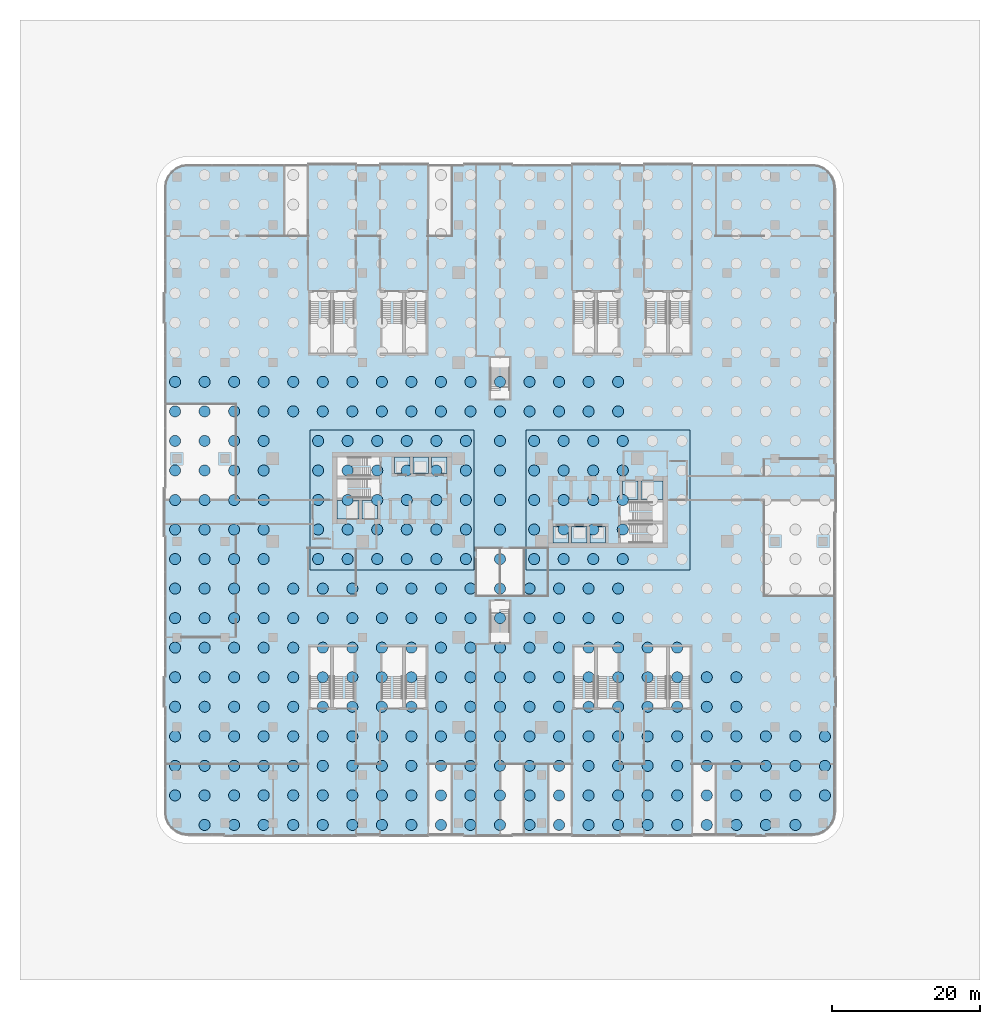
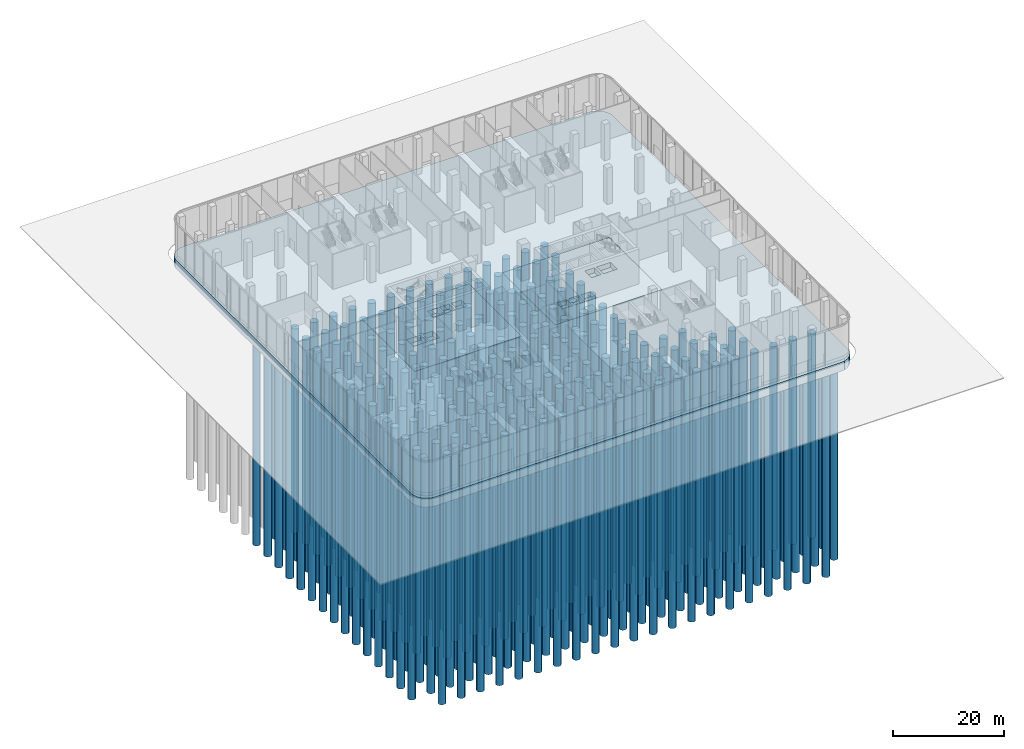
# One storey, part 1 of 27: 287 piles, 5 footings.
"""IFC4 building model written with IfcOpenShell, lengths in metres."""

from ifc_helpers import new_model, si_unit, direction, frame, origin, origin_2d, place, context, subcontext, project, spatial, polyline, circle, outline, extrude, source, transform, mapped, material, layer, layer_set, material_profile, profile_set, type_object, element, save


model = new_model("IFC4")

# Units and contexts
model_context = context("Model", 3, precision=1e-05, world=origin(), true_north=direction((0.0, 1.0)))
body_context = subcontext(model_context, "Body", "Model", "MODEL_VIEW")
ifc_project = project(units=[si_unit("LENGTHUNIT", "METRE"), si_unit("AREAUNIT", "SQUARE_METRE"), si_unit("VOLUMEUNIT", "CUBIC_METRE"), si_unit("PLANEANGLEUNIT", "RADIAN"), si_unit("MASSUNIT", "GRAM", prefix="KILO")], contexts=[model_context])

# Site, building, storey
site_placement = place(None, origin())
site = spatial("IfcSite", under=ifc_project, at=site_placement, CompositionType="ELEMENT")
building_placement = place(site_placement, origin())
building = spatial("IfcBuilding", under=site, at=building_placement, Name="Trellis Farm Tower", CompositionType="ELEMENT")
storey_placement = place(building_placement, origin())
storey = spatial("IfcBuildingStorey", under=building, at=storey_placement, Name="L00", CompositionType="ELEMENT", Elevation=0.0)

# Footings
ifc_material = material(Name="Concrete C40/50", Category="concrete")
ifc_layer_1 = layer(ifc_material, 2.39990234375)
ifc_layer_set_1 = layer_set([ifc_layer_1], Name="Core raft 2400")
footing_type_1 = type_object("IfcFootingType", Name="Core raft 2400", PredefinedType="PAD_FOOTING", material=ifc_layer_set_1)
placement_1 = place(storey_placement, frame((0.0, 0.0, -4.0)))
element("IfcFooting", 1, at=placement_1, inside=storey, type_object=footing_type_1, Name="Core raft E", PredefinedType="PAD_FOOTING", context=body_context, shape_type="SweptSolid", body=[
    extrude(outline(polyline([(25.75, -9.5), (25.75, 9.5), (3.5, 9.5), (3.5, -9.5), (25.75, -9.5)])), origin(), (0.0, 0.0, 1.0), 2.39990234375),
])
element("IfcFooting", 2, at=placement_1, inside=storey, type_object=footing_type_1, Name="Core raft W", PredefinedType="PAD_FOOTING", context=body_context, shape_type="SweptSolid", body=[
    extrude(outline(polyline([(-3.5, -9.5), (-3.5, 9.5), (-25.75, 9.5), (-25.75, -9.5), (-3.5, -9.5)])), origin(), (0.0, 0.0, 1.0), 2.39990234375),
])
ifc_layer_2 = layer(ifc_material, 1.10009765625)
ifc_layer_set_2 = layer_set([ifc_layer_2], Name="Core raft upper 1100")
footing_type_2 = type_object("IfcFootingType", Name="Core raft upper 1100", PredefinedType="PAD_FOOTING", material=ifc_layer_set_2)
placement_2 = place(storey_placement, frame((0.0, 0.0, -1.60009765625)))
element("IfcFooting", 3, at=placement_2, inside=storey, type_object=footing_type_2, Name="Core raft E pit recess", PredefinedType="PAD_FOOTING", context=body_context, shape_type="SweptSolid", body=[
    extrude(outline(polyline([(3.5, -9.5), (3.5, 9.5), (25.75, 9.5), (25.75, -9.5), (3.5, -9.5)]), holes=[polyline([(7.199951171875, -3.60009765625), (7.199951171875, -5.800048828125), (9.300048828125, -5.800048828125), (9.300048828125, -3.60009765625), (7.199951171875, -3.60009765625)]), polyline([(9.699951171875, -3.60009765625), (9.699951171875, -5.800048828125), (11.800048828125, -5.800048828125), (11.800048828125, -3.60009765625), (9.699951171875, -3.60009765625)]), polyline([(12.199951171875, -3.60009765625), (12.199951171875, -5.800048828125), (14.300048828125, -5.800048828125), (14.300048828125, -3.60009765625), (12.199951171875, -3.60009765625)]), polyline([(18.699951171875, 2.550048828125), (16.60009765625, 2.550048828125), (16.60009765625, 0.10009765625), (18.699951171875, 0.10009765625), (18.699951171875, 2.550048828125)]), polyline([(22.050048828125, 2.550048828125), (19.10009765625, 2.550048828125), (19.10009765625, 0.10009765625), (22.050048828125, 0.10009765625), (22.050048828125, 2.550048828125)])]), origin(), (0.0, 0.0, 1.0), 1.10009765625),
])
element("IfcFooting", 4, at=placement_2, inside=storey, type_object=footing_type_2, Name="Core raft W pit recess", PredefinedType="PAD_FOOTING", context=body_context, shape_type="SweptSolid", body=[
    extrude(outline(polyline([(-25.75, -9.5), (-25.75, 9.5), (-3.5, 9.5), (-3.5, -9.5), (-25.75, -9.5)]), holes=[polyline([(-19.10009765625, -2.550048828125), (-19.10009765625, -0.10009765625), (-22.050048828125, -0.10009765625), (-22.050048828125, -2.550048828125), (-19.10009765625, -2.550048828125)]), polyline([(-16.60009765625, -2.550048828125), (-16.60009765625, -0.10009765625), (-18.699951171875, -0.10009765625), (-18.699951171875, -2.550048828125), (-16.60009765625, -2.550048828125)]), polyline([(-12.199951171875, 3.60009765625), (-12.199951171875, 5.800048828125), (-14.300048828125, 5.800048828125), (-14.300048828125, 3.60009765625), (-12.199951171875, 3.60009765625)]), polyline([(-11.800048828125, 3.60009765625), (-9.699951171875, 3.60009765625), (-9.699951171875, 5.800048828125), (-11.800048828125, 5.800048828125), (-11.800048828125, 3.60009765625)]), polyline([(-9.300048828125, 3.60009765625), (-7.199951171875, 3.60009765625), (-7.199951171875, 5.800048828125), (-9.300048828125, 5.800048828125), (-9.300048828125, 3.60009765625)])]), origin(), (0.0, 0.0, 1.0), 1.10009765625),
])
ifc_layer_3 = layer(ifc_material, 2.0)
ifc_layer_set_3 = layer_set([ifc_layer_3], Name="Piled raft 2000")
footing_type_3 = type_object("IfcFootingType", Name="Piled raft 2000", PredefinedType="PAD_FOOTING", material=ifc_layer_set_3)
footing_5_placement = place(storey_placement, frame((0.0, 0.0, -2.5)))
element("IfcFooting", 5, at=footing_5_placement, inside=storey, type_object=footing_type_3, Name="Piled raft", PredefinedType="PAD_FOOTING", context=body_context, shape_type="SweptSolid", body=[
    extrude(outline(polyline([(45.5, -42.25), (45.5, 42.25), (45.389404296875, 43.09130859375), (45.064697265625, 43.875), (44.548095703125, 44.548095703125), (43.875, 45.064697265625), (43.09130859375, 45.389404296875), (42.25, 45.5), (-42.25, 45.5), (-43.09130859375, 45.389404296875), (-43.875, 45.064697265625), (-44.548095703125, 44.548095703125), (-45.064697265625, 43.875), (-45.389404296875, 43.09130859375), (-45.5, 42.25), (-45.5, -42.25), (-45.389404296875, -43.09130859375), (-45.064697265625, -43.875), (-44.548095703125, -44.548095703125), (-43.875, -45.064697265625), (-43.09130859375, -45.389404296875), (-42.25, -45.5), (42.25, -45.5), (43.09130859375, -45.389404296875), (43.875, -45.064697265625), (44.548095703125, -44.548095703125), (45.064697265625, -43.875), (45.389404296875, -43.09130859375), (45.5, -42.25)]), holes=[polyline([(25.75, -9.5), (25.75, 9.5), (3.5, 9.5), (3.5, -9.5), (25.75, -9.5)]), polyline([(-3.5, -9.5), (-3.5, 9.5), (-25.75, 9.5), (-25.75, -9.5), (-3.5, -9.5)])]), origin(), (0.0, 0.0, 1.0), 2.0),
])

# Piles
ifc_material_profile = material_profile(ifc_material, circle(Radius=0.75, at=origin_2d()), Name="Bored pile 1500")
ifc_profile_set = profile_set([ifc_material_profile], Name="Concrete C40/50")
pile_type = type_object("IfcPileType", Name="Bored pile 1500", PredefinedType="BORED", material=ifc_profile_set)
shared_shape = source(origin(), body_context, "Body", "SweptSolid", [
    extrude(circle(Radius=0.75, at=origin_2d()), origin(), (0.0, 0.0, 1.0), 45.0),
])
for number, where, z_axis, x_axis, name in (
    (6, (4.625, -8.0, -4.0), (0.0, 0.0, -1.0), (1.0, 0.0, 0.0), "Bored pile"),
    (7, (4.625, -4.0, -4.0), (0.0, 0.0, -1.0), (1.0, 0.0, 0.0), "Bored pile"),
    (8, (4.625, 0.0, -4.0), (0.0, 0.0, -1.0), (1.0, 0.0, 0.0), "Bored pile"),
    (9, (4.625, 4.0, -4.0), (0.0, 0.0, -1.0), (1.0, 0.0, 0.0), "Bored pile"),
    (10, (4.625, 8.0, -4.0), (0.0, 0.0, -1.0), (1.0, 0.0, 0.0), "Bored pile"),
    (11, (8.625, -8.0, -4.0), (0.0, 0.0, -1.0), (1.0, 0.0, 0.0), "Bored pile"),
    (12, (8.625, -4.0, -4.0), (0.0, 0.0, -1.0), (1.0, 0.0, 0.0), "Bored pile"),
    (13, (8.625, 0.0, -4.0), (0.0, 0.0, -1.0), (1.0, 0.0, 0.0), "Bored pile"),
    (14, (8.625, 4.0, -4.0), (0.0, 0.0, -1.0), (1.0, 0.0, 0.0), "Bored pile"),
    (15, (8.625, 8.0, -4.0), (0.0, 0.0, -1.0), (1.0, 0.0, 0.0), "Bored pile"),
    (16, (12.625, -8.0, -4.0), (0.0, 0.0, -1.0), (1.0, 0.0, 0.0), "Bored pile"),
    (17, (12.625, -4.0, -4.0), (0.0, 0.0, -1.0), (1.0, 0.0, 0.0), "Bored pile"),
    (18, (12.625, 0.0, -4.0), (0.0, 0.0, -1.0), (1.0, 0.0, 0.0), "Bored pile"),
    (19, (12.625, 4.0, -4.0), (0.0, 0.0, -1.0), (1.0, 0.0, 0.0), "Bored pile"),
    (20, (12.625, 8.0, -4.0), (0.0, 0.0, -1.0), (1.0, 0.0, 0.0), "Bored pile"),
    (21, (16.625, -8.0, -4.0), (0.0, 0.0, -1.0), (1.0, 0.0, 0.0), "Bored pile"),
    (22, (16.625, -4.0, -4.0), (0.0, 0.0, -1.0), (1.0, 0.0, 0.0), "Bored pile"),
    (23, (16.625, 0.0, -4.0), (0.0, 0.0, -1.0), (1.0, 0.0, 0.0), "Bored pile"),
    (24, (16.625, 4.0, -4.0), (0.0, 0.0, -1.0), (1.0, 0.0, 0.0), "Bored pile"),
    (25, (16.625, 8.0, -4.0), (0.0, 0.0, -1.0), (1.0, 0.0, 0.0), "Bored pile"),
    (26, (-24.625, -8.0, -4.0), (0.0, 0.0, -1.0), (1.0, 0.0, 0.0), "Bored pile"),
    (27, (-24.625, -4.0, -4.0), (0.0, 0.0, -1.0), (1.0, 0.0, 0.0), "Bored pile"),
    (28, (-24.625, 0.0, -4.0), (0.0, 0.0, -1.0), (1.0, 0.0, 0.0), "Bored pile"),
    (29, (-24.625, 4.0, -4.0), (0.0, 0.0, -1.0), (1.0, 0.0, 0.0), "Bored pile"),
    (30, (-24.625, 8.0, -4.0), (0.0, 0.0, -1.0), (1.0, 0.0, 0.0), "Bored pile"),
    (31, (-20.625, -8.0, -4.0), (0.0, 0.0, -1.0), (1.0, 0.0, 0.0), "Bored pile"),
    (32, (-20.625, -4.0, -4.0), (0.0, 0.0, -1.0), (1.0, 0.0, 0.0), "Bored pile"),
    (33, (-20.625, 0.0, -4.0), (0.0, 0.0, -1.0), (1.0, 0.0, 0.0), "Bored pile"),
    (34, (-20.625, 4.0, -4.0), (0.0, 0.0, -1.0), (1.0, 0.0, 0.0), "Bored pile"),
    (35, (-20.625, 8.0, -4.0), (0.0, 0.0, -1.0), (1.0, 0.0, 0.0), "Bored pile"),
    (36, (-16.625, -8.0, -4.0), (0.0, 0.0, -1.0), (1.0, 0.0, 0.0), "Bored pile"),
    (37, (-16.625, -4.0, -4.0), (0.0, 0.0, -1.0), (1.0, 0.0, 0.0), "Bored pile"),
    (38, (-16.625, 0.0, -4.0), (0.0, 0.0, -1.0), (1.0, 0.0, 0.0), "Bored pile"),
    (39, (-16.625, 4.0, -4.0), (0.0, 0.0, -1.0), (1.0, 0.0, 0.0), "Bored pile"),
    (40, (-16.625, 8.0, -4.0), (0.0, 0.0, -1.0), (1.0, 0.0, 0.0), "Bored pile"),
    (41, (-12.625, -8.0, -4.0), (0.0, 0.0, -1.0), (1.0, 0.0, 0.0), "Bored pile"),
    (42, (-12.625, -4.0, -4.0), (0.0, 0.0, -1.0), (1.0, 0.0, 0.0), "Bored pile"),
    (43, (-12.625, 0.0, -4.0), (0.0, 0.0, -1.0), (1.0, 0.0, 0.0), "Bored pile"),
    (44, (-12.625, 4.0, -4.0), (0.0, 0.0, -1.0), (1.0, 0.0, 0.0), "Bored pile"),
    (45, (-12.625, 8.0, -4.0), (0.0, 0.0, -1.0), (1.0, 0.0, 0.0), "Bored pile"),
    (46, (-8.625, -8.0, -4.0), (0.0, 0.0, -1.0), (1.0, 0.0, 0.0), "Bored pile"),
    (47, (-8.625, -4.0, -4.0), (0.0, 0.0, -1.0), (1.0, 0.0, 0.0), "Bored pile"),
    (48, (-8.625, 0.0, -4.0), (0.0, 0.0, -1.0), (1.0, 0.0, 0.0), "Bored pile"),
    (49, (-8.625, 4.0, -4.0), (0.0, 0.0, -1.0), (1.0, 0.0, 0.0), "Bored pile"),
    (50, (-8.625, 8.0, -4.0), (0.0, 0.0, -1.0), (1.0, 0.0, 0.0), "Bored pile"),
    (51, (-4.625, -8.0, -4.0), (0.0, 0.0, -1.0), (1.0, 0.0, 0.0), "Bored pile"),
    (52, (-4.625, -4.0, -4.0), (0.0, 0.0, -1.0), (1.0, 0.0, 0.0), "Bored pile"),
    (53, (-4.625, 0.0, -4.0), (0.0, 0.0, -1.0), (1.0, 0.0, 0.0), "Bored pile"),
    (54, (-4.625, 4.0, -4.0), (0.0, 0.0, -1.0), (1.0, 0.0, 0.0), "Bored pile"),
    (55, (-4.625, 8.0, -4.0), (0.0, 0.0, -1.0), (1.0, 0.0, 0.0), "Bored pile"),
    (56, (-44.0, -40.0, -2.5), (0.0, 0.0, -1.0), (1.0, 0.0, 0.0), "Bored pile"),
    (57, (-44.0, -36.0, -2.5), (0.0, 0.0, -1.0), (1.0, 0.0, 0.0), "Bored pile"),
    (58, (-44.0, -32.0, -2.5), (0.0, 0.0, -1.0), (1.0, 0.0, 0.0), "Bored pile"),
    (59, (-44.0, -28.0, -2.5), (0.0, 0.0, -1.0), (1.0, 0.0, 0.0), "Bored pile"),
    (60, (-44.0, -24.0, -2.5), (0.0, 0.0, -1.0), (1.0, 0.0, 0.0), "Bored pile"),
    (61, (-44.0, -20.0, -2.5), (0.0, 0.0, -1.0), (1.0, 0.0, 0.0), "Bored pile"),
    (62, (-44.0, -16.0, -2.5), (0.0, 0.0, -1.0), (1.0, 0.0, 0.0), "Bored pile"),
    (63, (-44.0, -12.0, -2.5), (0.0, 0.0, -1.0), (1.0, 0.0, 0.0), "Bored pile"),
    (64, (-44.0, -8.0, -2.5), (0.0, 0.0, -1.0), (1.0, 0.0, 0.0), "Bored pile"),
    (65, (-44.0, -4.0, -2.5), (0.0, 0.0, -1.0), (1.0, 0.0, 0.0), "Bored pile"),
    (66, (-44.0, 0.0, -2.5), (0.0, 0.0, -1.0), (1.0, 0.0, 0.0), "Bored pile"),
    (67, (-44.0, 4.0, -2.5), (0.0, 0.0, -1.0), (1.0, 0.0, 0.0), "Bored pile"),
    (68, (-44.0, 8.0, -2.5), (0.0, 0.0, -1.0), (1.0, 0.0, 0.0), "Bored pile"),
    (69, (-44.0, 12.0, -2.5), (0.0, 0.0, -1.0), (1.0, 0.0, 0.0), "Bored pile"),
    (70, (-44.0, 16.0, -2.5), (0.0, 0.0, -1.0), (1.0, 0.0, 0.0), "Bored pile"),
    (71, (-40.0, -44.0, -2.5), (0.0, 0.0, -1.0), (1.0, 0.0, 0.0), "Bored pile"),
    (72, (-40.0, -40.0, -2.5), (0.0, 0.0, -1.0), (1.0, 0.0, 0.0), "Bored pile"),
    (73, (-40.0, -36.0, -2.5), (0.0, 0.0, -1.0), (1.0, 0.0, 0.0), "Bored pile"),
    (74, (-40.0, -32.0, -2.5), (0.0, 0.0, -1.0), (1.0, 0.0, 0.0), "Bored pile"),
    (75, (-40.0, -28.0, -2.5), (0.0, 0.0, -1.0), (1.0, 0.0, 0.0), "Bored pile"),
    (76, (-40.0, -24.0, -2.5), (0.0, 0.0, -1.0), (1.0, 0.0, 0.0), "Bored pile"),
    (77, (-40.0, -20.0, -2.5), (0.0, 0.0, -1.0), (1.0, 0.0, 0.0), "Bored pile"),
    (78, (-40.0, -16.0, -2.5), (0.0, 0.0, -1.0), (1.0, 0.0, 0.0), "Bored pile"),
    (79, (-40.0, -12.0, -2.5), (0.0, 0.0, -1.0), (1.0, 0.0, 0.0), "Bored pile"),
    (80, (-40.0, -8.0, -2.5), (0.0, 0.0, -1.0), (1.0, 0.0, 0.0), "Bored pile"),
    (81, (-40.0, -4.0, -2.5), (0.0, 0.0, -1.0), (1.0, 0.0, 0.0), "Bored pile"),
    (82, (-40.0, 0.0, -2.5), (0.0, 0.0, -1.0), (1.0, 0.0, 0.0), "Bored pile"),
    (83, (-40.0, 4.0, -2.5), (0.0, 0.0, -1.0), (1.0, 0.0, 0.0), "Bored pile"),
    (84, (-40.0, 8.0, -2.5), (0.0, 0.0, -1.0), (1.0, 0.0, 0.0), "Bored pile"),
    (85, (-40.0, 12.0, -2.5), (0.0, 0.0, -1.0), (1.0, 0.0, 0.0), "Bored pile"),
    (86, (-40.0, 16.0, -2.5), (0.0, 0.0, -1.0), (1.0, 0.0, 0.0), "Bored pile"),
    (87, (-36.0, -44.0, -2.5), (0.0, 0.0, -1.0), (1.0, 0.0, 0.0), "Bored pile"),
    (88, (-36.0, -40.0, -2.5), (0.0, 0.0, -1.0), (1.0, 0.0, 0.0), "Bored pile"),
    (89, (-36.0, -36.0, -2.5), (0.0, 0.0, -1.0), (1.0, 0.0, 0.0), "Bored pile"),
    (90, (-36.0, -32.0, -2.5), (0.0, 0.0, -1.0), (1.0, 0.0, 0.0), "Bored pile"),
    (91, (-36.0, -28.0, -2.5), (0.0, 0.0, -1.0), (1.0, 0.0, 0.0), "Bored pile"),
    (92, (-36.0, -24.0, -2.5), (0.0, 0.0, -1.0), (1.0, 0.0, 0.0), "Bored pile"),
    (93, (-36.0, -20.0, -2.5), (0.0, 0.0, -1.0), (1.0, 0.0, 0.0), "Bored pile"),
    (94, (-36.0, -16.0, -2.5), (0.0, 0.0, -1.0), (1.0, 0.0, 0.0), "Bored pile"),
    (95, (-36.0, -12.0, -2.5), (0.0, 0.0, -1.0), (1.0, 0.0, 0.0), "Bored pile"),
    (96, (-36.0, -8.0, -2.5), (0.0, 0.0, -1.0), (1.0, 0.0, 0.0), "Bored pile"),
    (97, (-36.0, -4.0, -2.5), (0.0, 0.0, -1.0), (1.0, 0.0, 0.0), "Bored pile"),
    (98, (-36.0, 0.0, -2.5), (0.0, 0.0, -1.0), (1.0, 0.0, 0.0), "Bored pile"),
    (99, (-36.0, 4.0, -2.5), (0.0, 0.0, -1.0), (1.0, 0.0, 0.0), "Bored pile"),
    (100, (-36.0, 8.0, -2.5), (0.0, 0.0, -1.0), (1.0, 0.0, 0.0), "Bored pile"),
    (101, (-36.0, 12.0, -2.5), (0.0, 0.0, -1.0), (1.0, 0.0, 0.0), "Bored pile"),
    (102, (-36.0, 16.0, -2.5), (0.0, 0.0, -1.0), (1.0, 0.0, 0.0), "Bored pile"),
    (103, (-32.0, -44.0, -2.5), (0.0, 0.0, -1.0), (1.0, 0.0, 0.0), "Bored pile"),
    (104, (-32.0, -40.0, -2.5), (0.0, 0.0, -1.0), (1.0, 0.0, 0.0), "Bored pile"),
    (105, (-32.0, -36.0, -2.5), (0.0, 0.0, -1.0), (1.0, 0.0, 0.0), "Bored pile"),
    (106, (-32.0, -32.0, -2.5), (0.0, 0.0, -1.0), (1.0, 0.0, 0.0), "Bored pile"),
    (107, (-32.0, -28.0, -2.5), (0.0, 0.0, -1.0), (1.0, 0.0, 0.0), "Bored pile"),
    (108, (-32.0, -24.0, -2.5), (0.0, 0.0, -1.0), (1.0, 0.0, 0.0), "Bored pile"),
    (109, (-32.0, -20.0, -2.5), (0.0, 0.0, -1.0), (1.0, 0.0, 0.0), "Bored pile"),
    (110, (-32.0, -16.0, -2.5), (0.0, 0.0, -1.0), (1.0, 0.0, 0.0), "Bored pile"),
    (111, (-32.0, -12.0, -2.5), (0.0, 0.0, -1.0), (1.0, 0.0, 0.0), "Bored pile"),
    (112, (-32.0, -8.0, -2.5), (0.0, 0.0, -1.0), (1.0, 0.0, 0.0), "Bored pile"),
    (113, (-32.0, -4.0, -2.5), (0.0, 0.0, -1.0), (1.0, 0.0, 0.0), "Bored pile"),
    (114, (-32.0, 0.0, -2.5), (0.0, 0.0, -1.0), (1.0, 0.0, 0.0), "Bored pile"),
    (115, (-32.0, 4.0, -2.5), (0.0, 0.0, -1.0), (1.0, 0.0, 0.0), "Bored pile"),
    (116, (-32.0, 8.0, -2.5), (0.0, 0.0, -1.0), (1.0, 0.0, 0.0), "Bored pile"),
    (117, (-32.0, 12.0, -2.5), (0.0, 0.0, -1.0), (1.0, 0.0, 0.0), "Bored pile"),
    (118, (-32.0, 16.0, -2.5), (0.0, 0.0, -1.0), (1.0, 0.0, 0.0), "Bored pile"),
    (119, (-28.0, -44.0, -2.5), (0.0, 0.0, -1.0), (1.0, 0.0, 0.0), "Bored pile"),
    (120, (-28.0, -40.0, -2.5), (0.0, 0.0, -1.0), (1.0, 0.0, 0.0), "Bored pile"),
    (121, (-28.0, -36.0, -2.5), (0.0, 0.0, -1.0), (1.0, 0.0, 0.0), "Bored pile"),
    (122, (-28.0, -32.0, -2.5), (0.0, 0.0, -1.0), (1.0, 0.0, 0.0), "Bored pile"),
    (123, (-28.0, -28.0, -2.5), (0.0, 0.0, -1.0), (1.0, 0.0, 0.0), "Bored pile"),
    (124, (-28.0, -24.0, -2.5), (0.0, 0.0, -1.0), (1.0, 0.0, 0.0), "Bored pile"),
    (125, (-28.0, -20.0, -2.5), (0.0, 0.0, -1.0), (1.0, 0.0, 0.0), "Bored pile"),
    (126, (-28.0, -16.0, -2.5), (0.0, 0.0, -1.0), (1.0, 0.0, 0.0), "Bored pile"),
    (127, (-28.0, -12.0, -2.5), (0.0, 0.0, -1.0), (1.0, 0.0, 0.0), "Bored pile"),
    (128, (-28.0, 12.0, -2.5), (0.0, 0.0, -1.0), (1.0, 0.0, 0.0), "Bored pile"),
    (129, (-28.0, 16.0, -2.5), (0.0, 0.0, -1.0), (1.0, 0.0, 0.0), "Bored pile"),
    (130, (-24.0, -44.0, -2.5), (0.0, 0.0, -1.0), (1.0, 0.0, 0.0), "Bored pile"),
    (131, (-24.0, -40.0, -2.5), (0.0, 0.0, -1.0), (1.0, 0.0, 0.0), "Bored pile"),
    (132, (-24.0, -36.0, -2.5), (0.0, 0.0, -1.0), (1.0, 0.0, 0.0), "Bored pile"),
    (133, (-24.0, -32.0, -2.5), (0.0, 0.0, -1.0), (1.0, 0.0, 0.0), "Bored pile"),
    (134, (-24.0, -28.0, -2.5), (0.0, 0.0, -1.0), (1.0, 0.0, 0.0), "Bored pile"),
    (135, (-24.0, -24.0, -2.5), (0.0, 0.0, -1.0), (1.0, 0.0, 0.0), "Bored pile"),
    (136, (-24.0, -20.0, -2.5), (0.0, 0.0, -1.0), (1.0, 0.0, 0.0), "Bored pile"),
    (137, (-24.0, -16.0, -2.5), (0.0, 0.0, -1.0), (1.0, 0.0, 0.0), "Bored pile"),
    (138, (-24.0, -12.0, -2.5), (0.0, 0.0, -1.0), (1.0, 0.0, 0.0), "Bored pile"),
    (139, (-24.0, 12.0, -2.5), (0.0, 0.0, -1.0), (1.0, 0.0, 0.0), "Bored pile"),
    (140, (-24.0, 16.0, -2.5), (0.0, 0.0, -1.0), (1.0, 0.0, 0.0), "Bored pile"),
    (141, (-20.0, -44.0, -2.5), (0.0, 0.0, -1.0), (1.0, 0.0, 0.0), "Bored pile"),
    (142, (-20.0, -40.0, -2.5), (0.0, 0.0, -1.0), (1.0, 0.0, 0.0), "Bored pile"),
    (143, (-20.0, -36.0, -2.5), (0.0, 0.0, -1.0), (1.0, 0.0, 0.0), "Bored pile"),
    (144, (-20.0, -32.0, -2.5), (0.0, 0.0, -1.0), (1.0, 0.0, 0.0), "Bored pile"),
    (145, (-20.0, -28.0, -2.5), (0.0, 0.0, -1.0), (1.0, 0.0, 0.0), "Bored pile"),
    (146, (-20.0, -24.0, -2.5), (0.0, 0.0, -1.0), (1.0, 0.0, 0.0), "Bored pile"),
    (147, (-20.0, -20.0, -2.5), (0.0, 0.0, -1.0), (1.0, 0.0, 0.0), "Bored pile"),
    (148, (-20.0, -16.0, -2.5), (0.0, 0.0, -1.0), (1.0, 0.0, 0.0), "Bored pile"),
    (149, (-20.0, -12.0, -2.5), (0.0, 0.0, -1.0), (1.0, 0.0, 0.0), "Bored pile"),
    (150, (-20.0, 12.0, -2.5), (0.0, 0.0, -1.0), (1.0, 0.0, 0.0), "Bored pile"),
    (151, (-20.0, 16.0, -2.5), (0.0, 0.0, -1.0), (1.0, 0.0, 0.0), "Bored pile"),
    (152, (-16.0, -44.0, -2.5), (0.0, 0.0, -1.0), (1.0, 0.0, 0.0), "Bored pile"),
    (153, (-16.0, -40.0, -2.5), (0.0, 0.0, -1.0), (1.0, 0.0, 0.0), "Bored pile"),
    (154, (-16.0, -36.0, -2.5), (0.0, 0.0, -1.0), (1.0, 0.0, 0.0), "Bored pile"),
    (155, (-16.0, -32.0, -2.5), (0.0, 0.0, -1.0), (1.0, 0.0, 0.0), "Bored pile"),
    (156, (-16.0, -28.0, -2.5), (0.0, 0.0, -1.0), (1.0, 0.0, 0.0), "Bored pile"),
    (157, (-16.0, -24.0, -2.5), (0.0, 0.0, -1.0), (1.0, 0.0, 0.0), "Bored pile"),
    (158, (-16.0, -20.0, -2.5), (0.0, 0.0, -1.0), (1.0, 0.0, 0.0), "Bored pile"),
    (159, (-16.0, -16.0, -2.5), (0.0, 0.0, -1.0), (1.0, 0.0, 0.0), "Bored pile"),
    (160, (-16.0, -12.0, -2.5), (0.0, 0.0, -1.0), (1.0, 0.0, 0.0), "Bored pile"),
    (161, (-16.0, 12.0, -2.5), (0.0, 0.0, -1.0), (1.0, 0.0, 0.0), "Bored pile"),
    (162, (-16.0, 16.0, -2.5), (0.0, 0.0, -1.0), (1.0, 0.0, 0.0), "Bored pile"),
    (163, (-12.0, -44.0, -2.5), (0.0, 0.0, -1.0), (1.0, 0.0, 0.0), "Bored pile"),
    (164, (-12.0, -40.0, -2.5), (0.0, 0.0, -1.0), (1.0, 0.0, 0.0), "Bored pile"),
    (165, (-12.0, -36.0, -2.5), (0.0, 0.0, -1.0), (1.0, 0.0, 0.0), "Bored pile"),
    (166, (-12.0, -32.0, -2.5), (0.0, 0.0, -1.0), (1.0, 0.0, 0.0), "Bored pile"),
    (167, (-12.0, -28.0, -2.5), (0.0, 0.0, -1.0), (1.0, 0.0, 0.0), "Bored pile"),
    (168, (-12.0, -24.0, -2.5), (0.0, 0.0, -1.0), (1.0, 0.0, 0.0), "Bored pile"),
    (169, (-12.0, -20.0, -2.5), (0.0, 0.0, -1.0), (1.0, 0.0, 0.0), "Bored pile"),
    (170, (-12.0, -16.0, -2.5), (0.0, 0.0, -1.0), (1.0, 0.0, 0.0), "Bored pile"),
    (171, (-12.0, -12.0, -2.5), (0.0, 0.0, -1.0), (1.0, 0.0, 0.0), "Bored pile"),
    (172, (-12.0, 12.0, -2.5), (0.0, 0.0, -1.0), (1.0, 0.0, 0.0), "Bored pile"),
    (173, (-12.0, 16.0, -2.5), (0.0, 0.0, -1.0), (1.0, 0.0, 0.0), "Bored pile"),
    (174, (-8.0, -44.0, -2.5), (0.0, 0.0, -1.0), (1.0, 0.0, 0.0), "Bored pile"),
    (175, (-8.0, -40.0, -2.5), (0.0, 0.0, -1.0), (1.0, 0.0, 0.0), "Bored pile"),
    (176, (-8.0, -36.0, -2.5), (0.0, 0.0, -1.0), (1.0, 0.0, 0.0), "Bored pile"),
    (177, (-8.0, -32.0, -2.5), (0.0, 0.0, -1.0), (1.0, 0.0, 0.0), "Bored pile"),
    (178, (-8.0, -28.0, -2.5), (0.0, 0.0, -1.0), (1.0, 0.0, 0.0), "Bored pile"),
    (179, (-8.0, -24.0, -2.5), (0.0, 0.0, -1.0), (1.0, 0.0, 0.0), "Bored pile"),
    (180, (-8.0, -20.0, -2.5), (0.0, 0.0, -1.0), (1.0, 0.0, 0.0), "Bored pile"),
    (181, (-8.0, -16.0, -2.5), (0.0, 0.0, -1.0), (1.0, 0.0, 0.0), "Bored pile"),
    (182, (-8.0, -12.0, -2.5), (0.0, 0.0, -1.0), (1.0, 0.0, 0.0), "Bored pile"),
    (183, (-8.0, 12.0, -2.5), (0.0, 0.0, -1.0), (1.0, 0.0, 0.0), "Bored pile"),
    (184, (-8.0, 16.0, -2.5), (0.0, 0.0, -1.0), (1.0, 0.0, 0.0), "Bored pile"),
    (185, (-4.0, -44.0, -2.5), (0.0, 0.0, -1.0), (1.0, 0.0, 0.0), "Bored pile"),
    (186, (-4.0, -40.0, -2.5), (0.0, 0.0, -1.0), (1.0, 0.0, 0.0), "Bored pile"),
    (187, (-4.0, -36.0, -2.5), (0.0, 0.0, -1.0), (1.0, 0.0, 0.0), "Bored pile"),
    (188, (-4.0, -32.0, -2.5), (0.0, 0.0, -1.0), (1.0, 0.0, 0.0), "Bored pile"),
    (189, (-4.0, -28.0, -2.5), (0.0, 0.0, -1.0), (1.0, 0.0, 0.0), "Bored pile"),
    (190, (-4.0, -24.0, -2.5), (0.0, 0.0, -1.0), (1.0, 0.0, 0.0), "Bored pile"),
    (191, (-4.0, -20.0, -2.5), (0.0, 0.0, -1.0), (1.0, 0.0, 0.0), "Bored pile"),
    (192, (-4.0, -16.0, -2.5), (0.0, 0.0, -1.0), (1.0, 0.0, 0.0), "Bored pile"),
    (193, (-4.0, -12.0, -2.5), (0.0, 0.0, -1.0), (1.0, 0.0, 0.0), "Bored pile"),
    (194, (-4.0, 12.0, -2.5), (0.0, 0.0, -1.0), (1.0, 0.0, 0.0), "Bored pile"),
    (195, (-4.0, 16.0, -2.5), (0.0, 0.0, -1.0), (1.0, 0.0, 0.0), "Bored pile"),
    (196, (0.0, -44.0, -2.5), (0.0, 0.0, -1.0), (1.0, 0.0, 0.0), "Bored pile"),
    (197, (0.0, -40.0, -2.5), (0.0, 0.0, -1.0), (1.0, 0.0, 0.0), "Bored pile"),
    (198, (0.0, -36.0, -2.5), (0.0, 0.0, -1.0), (1.0, 0.0, 0.0), "Bored pile"),
    (199, (0.0, -32.0, -2.5), (0.0, 0.0, -1.0), (1.0, 0.0, 0.0), "Bored pile"),
    (200, (0.0, -28.0, -2.5), (0.0, 0.0, -1.0), (1.0, 0.0, 0.0), "Bored pile"),
    (201, (0.0, -24.0, -2.5), (0.0, 0.0, -1.0), (1.0, 0.0, 0.0), "Bored pile"),
    (202, (0.0, -20.0, -2.5), (0.0, 0.0, -1.0), (1.0, 0.0, 0.0), "Bored pile"),
    (203, (0.0, -16.0, -2.5), (0.0, 0.0, -1.0), (1.0, 0.0, 0.0), "Bored pile"),
    (204, (0.0, -12.0, -2.5), (0.0, 0.0, -1.0), (1.0, 0.0, 0.0), "Bored pile"),
    (205, (0.0, -8.0, -2.5), (0.0, 0.0, -1.0), (1.0, 0.0, 0.0), "Bored pile"),
    (206, (0.0, -4.0, -2.5), (0.0, 0.0, -1.0), (1.0, 0.0, 0.0), "Bored pile"),
    (207, (0.0, 0.0, -2.5), (0.0, 0.0, -1.0), (1.0, 0.0, 0.0), "Bored pile"),
    (208, (0.0, 4.0, -2.5), (0.0, 0.0, -1.0), (1.0, 0.0, 0.0), "Bored pile"),
    (209, (0.0, 8.0, -2.5), (0.0, 0.0, -1.0), (1.0, 0.0, 0.0), "Bored pile"),
    (210, (0.0, 12.0, -2.5), (0.0, 0.0, -1.0), (1.0, 0.0, 0.0), "Bored pile"),
    (211, (0.0, 16.0, -2.5), (0.0, 0.0, -1.0), (1.0, 0.0, 0.0), "Bored pile"),
    (212, (4.0, -44.0, -2.5), (0.0, 0.0, -1.0), (1.0, 0.0, 0.0), "Bored pile"),
    (213, (4.0, -40.0, -2.5), (0.0, 0.0, -1.0), (1.0, 0.0, 0.0), "Bored pile"),
    (214, (4.0, -36.0, -2.5), (0.0, 0.0, -1.0), (1.0, 0.0, 0.0), "Bored pile"),
    (215, (4.0, -32.0, -2.5), (0.0, 0.0, -1.0), (1.0, 0.0, 0.0), "Bored pile"),
    (216, (4.0, -28.0, -2.5), (0.0, 0.0, -1.0), (1.0, 0.0, 0.0), "Bored pile"),
    (217, (4.0, -24.0, -2.5), (0.0, 0.0, -1.0), (1.0, 0.0, 0.0), "Bored pile"),
    (218, (4.0, -20.0, -2.5), (0.0, 0.0, -1.0), (1.0, 0.0, 0.0), "Bored pile"),
    (219, (4.0, -16.0, -2.5), (0.0, 0.0, -1.0), (1.0, 0.0, 0.0), "Bored pile"),
    (220, (4.0, -12.0, -2.5), (0.0, 0.0, -1.0), (1.0, 0.0, 0.0), "Bored pile"),
    (221, (4.0, 12.0, -2.5), (0.0, 0.0, -1.0), (1.0, 0.0, 0.0), "Bored pile"),
    (222, (4.0, 16.0, -2.5), (0.0, 0.0, -1.0), (1.0, 0.0, 0.0), "Bored pile"),
    (223, (8.0, -44.0, -2.5), (0.0, 0.0, -1.0), (1.0, 0.0, 0.0), "Bored pile"),
    (224, (8.0, -40.0, -2.5), (0.0, 0.0, -1.0), (1.0, 0.0, 0.0), "Bored pile"),
    (225, (8.0, -36.0, -2.5), (0.0, 0.0, -1.0), (1.0, 0.0, 0.0), "Bored pile"),
    (226, (8.0, -32.0, -2.5), (0.0, 0.0, -1.0), (1.0, 0.0, 0.0), "Bored pile"),
    (227, (8.0, -28.0, -2.5), (0.0, 0.0, -1.0), (1.0, 0.0, 0.0), "Bored pile"),
    (228, (8.0, -24.0, -2.5), (0.0, 0.0, -1.0), (1.0, 0.0, 0.0), "Bored pile"),
    (229, (8.0, -20.0, -2.5), (0.0, 0.0, -1.0), (1.0, 0.0, 0.0), "Bored pile"),
    (230, (8.0, -16.0, -2.5), (0.0, 0.0, -1.0), (1.0, 0.0, 0.0), "Bored pile"),
    (231, (8.0, -12.0, -2.5), (0.0, 0.0, -1.0), (1.0, 0.0, 0.0), "Bored pile"),
    (232, (8.0, 12.0, -2.5), (0.0, 0.0, -1.0), (1.0, 0.0, 0.0), "Bored pile"),
    (233, (8.0, 16.0, -2.5), (0.0, 0.0, -1.0), (1.0, 0.0, 0.0), "Bored pile"),
    (234, (12.0, -44.0, -2.5), (0.0, 0.0, -1.0), (1.0, 0.0, 0.0), "Bored pile"),
    (235, (12.0, -40.0, -2.5), (0.0, 0.0, -1.0), (1.0, 0.0, 0.0), "Bored pile"),
    (236, (12.0, -36.0, -2.5), (0.0, 0.0, -1.0), (1.0, 0.0, 0.0), "Bored pile"),
    (237, (12.0, -32.0, -2.5), (0.0, 0.0, -1.0), (1.0, 0.0, 0.0), "Bored pile"),
    (238, (12.0, -28.0, -2.5), (0.0, 0.0, -1.0), (1.0, 0.0, 0.0), "Bored pile"),
    (239, (12.0, -24.0, -2.5), (0.0, 0.0, -1.0), (1.0, 0.0, 0.0), "Bored pile"),
    (240, (12.0, -20.0, -2.5), (0.0, 0.0, -1.0), (1.0, 0.0, 0.0), "Bored pile"),
    (241, (12.0, -16.0, -2.5), (0.0, 0.0, -1.0), (1.0, 0.0, 0.0), "Bored pile"),
    (242, (12.0, -12.0, -2.5), (0.0, 0.0, -1.0), (1.0, 0.0, 0.0), "Bored pile"),
    (243, (12.0, 12.0, -2.5), (0.0, 0.0, -1.0), (1.0, 0.0, 0.0), "Bored pile"),
    (244, (12.0, 16.0, -2.5), (0.0, 0.0, -1.0), (1.0, 0.0, 0.0), "Bored pile"),
    (245, (16.0, -44.0, -2.5), (0.0, 0.0, -1.0), (1.0, 0.0, 0.0), "Bored pile"),
    (246, (16.0, -40.0, -2.5), (0.0, 0.0, -1.0), (1.0, 0.0, 0.0), "Bored pile"),
    (247, (16.0, -36.0, -2.5), (0.0, 0.0, -1.0), (1.0, 0.0, 0.0), "Bored pile"),
    (248, (16.0, -32.0, -2.5), (0.0, 0.0, -1.0), (1.0, 0.0, 0.0), "Bored pile"),
    (249, (16.0, -28.0, -2.5), (0.0, 0.0, -1.0), (1.0, 0.0, 0.0), "Bored pile"),
    (250, (16.0, -24.0, -2.5), (0.0, 0.0, -1.0), (1.0, 0.0, 0.0), "Bored pile"),
    (251, (16.0, -20.0, -2.5), (0.0, 0.0, -1.0), (1.0, 0.0, 0.0), "Bored pile"),
    (252, (16.0, -16.0, -2.5), (0.0, 0.0, -1.0), (1.0, 0.0, 0.0), "Bored pile"),
    (253, (16.0, -12.0, -2.5), (0.0, 0.0, -1.0), (1.0, 0.0, 0.0), "Bored pile"),
    (254, (16.0, 12.0, -2.5), (0.0, 0.0, -1.0), (1.0, 0.0, 0.0), "Bored pile"),
    (255, (16.0, 16.0, -2.5), (0.0, 0.0, -1.0), (1.0, 0.0, 0.0), "Bored pile"),
    (256, (20.0, -44.0, -2.5), (0.0, 0.0, -1.0), (1.0, 0.0, 0.0), "Bored pile"),
    (257, (20.0, -40.0, -2.5), (0.0, 0.0, -1.0), (1.0, 0.0, 0.0), "Bored pile"),
    (258, (20.0, -36.0, -2.5), (0.0, 0.0, -1.0), (1.0, 0.0, 0.0), "Bored pile"),
    (259, (20.0, -32.0, -2.5), (0.0, 0.0, -1.0), (1.0, 0.0, 0.0), "Bored pile"),
    (260, (20.0, -28.0, -2.5), (0.0, 0.0, -1.0), (1.0, 0.0, 0.0), "Bored pile"),
    (261, (20.0, -24.0, -2.5), (0.0, 0.0, -1.0), (1.0, 0.0, 0.0), "Bored pile"),
    (262, (20.0, -20.0, -2.5), (0.0, 0.0, -1.0), (1.0, 0.0, 0.0), "Bored pile"),
    (263, (24.0, -44.0, -2.5), (0.0, 0.0, -1.0), (1.0, 0.0, 0.0), "Bored pile"),
    (264, (24.0, -40.0, -2.5), (0.0, 0.0, -1.0), (1.0, 0.0, 0.0), "Bored pile"),
    (265, (24.0, -36.0, -2.5), (0.0, 0.0, -1.0), (1.0, 0.0, 0.0), "Bored pile"),
    (266, (24.0, -32.0, -2.5), (0.0, 0.0, -1.0), (1.0, 0.0, 0.0), "Bored pile"),
    (267, (24.0, -28.0, -2.5), (0.0, 0.0, -1.0), (1.0, 0.0, 0.0), "Bored pile"),
    (268, (24.0, -24.0, -2.5), (0.0, 0.0, -1.0), (1.0, 0.0, 0.0), "Bored pile"),
    (269, (24.0, -20.0, -2.5), (0.0, 0.0, -1.0), (1.0, 0.0, 0.0), "Bored pile"),
    (270, (28.0, -44.0, -2.5), (0.0, 0.0, -1.0), (1.0, 0.0, 0.0), "Bored pile"),
    (271, (28.0, -40.0, -2.5), (0.0, 0.0, -1.0), (1.0, 0.0, 0.0), "Bored pile"),
    (272, (28.0, -36.0, -2.5), (0.0, 0.0, -1.0), (1.0, 0.0, 0.0), "Bored pile"),
    (273, (28.0, -32.0, -2.5), (0.0, 0.0, -1.0), (1.0, 0.0, 0.0), "Bored pile"),
    (274, (28.0, -28.0, -2.5), (0.0, 0.0, -1.0), (1.0, 0.0, 0.0), "Bored pile"),
    (275, (28.0, -24.0, -2.5), (0.0, 0.0, -1.0), (1.0, 0.0, 0.0), "Bored pile"),
    (276, (32.0, -44.0, -2.5), (0.0, 0.0, -1.0), (1.0, 0.0, 0.0), "Bored pile"),
    (277, (32.0, -40.0, -2.5), (0.0, 0.0, -1.0), (1.0, 0.0, 0.0), "Bored pile"),
    (278, (32.0, -36.0, -2.5), (0.0, 0.0, -1.0), (1.0, 0.0, 0.0), "Bored pile"),
    (279, (32.0, -32.0, -2.5), (0.0, 0.0, -1.0), (1.0, 0.0, 0.0), "Bored pile"),
    (280, (32.0, -28.0, -2.5), (0.0, 0.0, -1.0), (1.0, 0.0, 0.0), "Bored pile"),
    (281, (32.0, -24.0, -2.5), (0.0, 0.0, -1.0), (1.0, 0.0, 0.0), "Bored pile"),
    (282, (36.0, -44.0, -2.5), (0.0, 0.0, -1.0), (1.0, 0.0, 0.0), "Bored pile"),
    (283, (36.0, -40.0, -2.5), (0.0, 0.0, -1.0), (1.0, 0.0, 0.0), "Bored pile"),
    (284, (36.0, -36.0, -2.5), (0.0, 0.0, -1.0), (1.0, 0.0, 0.0), "Bored pile"),
    (285, (36.0, -32.0, -2.5), (0.0, 0.0, -1.0), (1.0, 0.0, 0.0), "Bored pile"),
    (286, (40.0, -44.0, -2.5), (0.0, 0.0, -1.0), (1.0, 0.0, 0.0), "Bored pile"),
    (287, (40.0, -40.0, -2.5), (0.0, 0.0, -1.0), (1.0, 0.0, 0.0), "Bored pile"),
    (288, (40.0, -36.0, -2.5), (0.0, 0.0, -1.0), (1.0, 0.0, 0.0), "Bored pile"),
    (289, (40.0, -32.0, -2.5), (0.0, 0.0, -1.0), (1.0, 0.0, 0.0), "Bored pile"),
    (290, (44.0, -40.0, -2.5), (0.0, 0.0, -1.0), (1.0, 0.0, 0.0), "Bored pile"),
    (291, (44.0, -36.0, -2.5), (0.0, 0.0, -1.0), (1.0, 0.0, 0.0), "Bored pile"),
    (292, (44.0, -32.0, -2.5), (0.0, 0.0, -1.0), (1.0, 0.0, 0.0), "Bored pile"),
):
    element("IfcPile", number, at=place(storey_placement, frame(where, z_axis=z_axis, x_axis=x_axis)), inside=storey, type_object=pile_type, Name=name, PredefinedType="BORED", context=body_context, shape_type="MappedRepresentation", body=[
        mapped(shared_shape, transform((0.0, 0.0, 0.0))),
    ])

save(model, "model.ifc")
